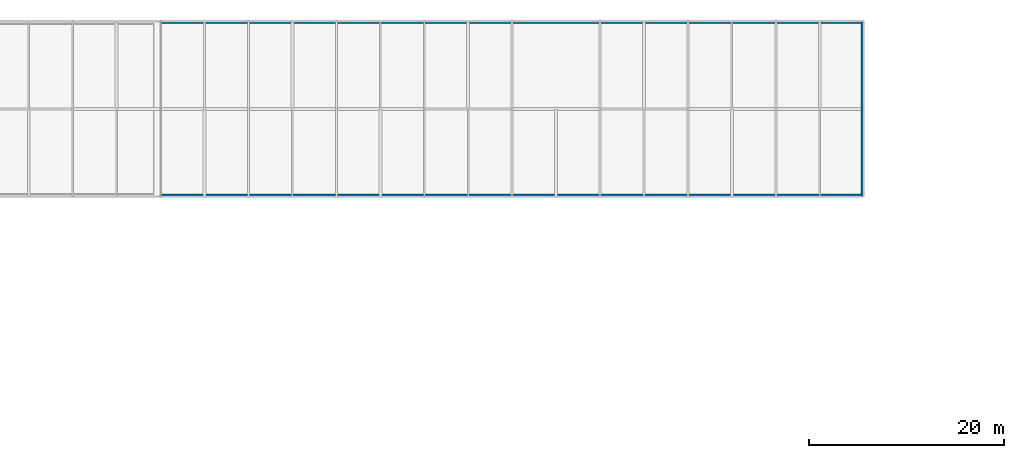
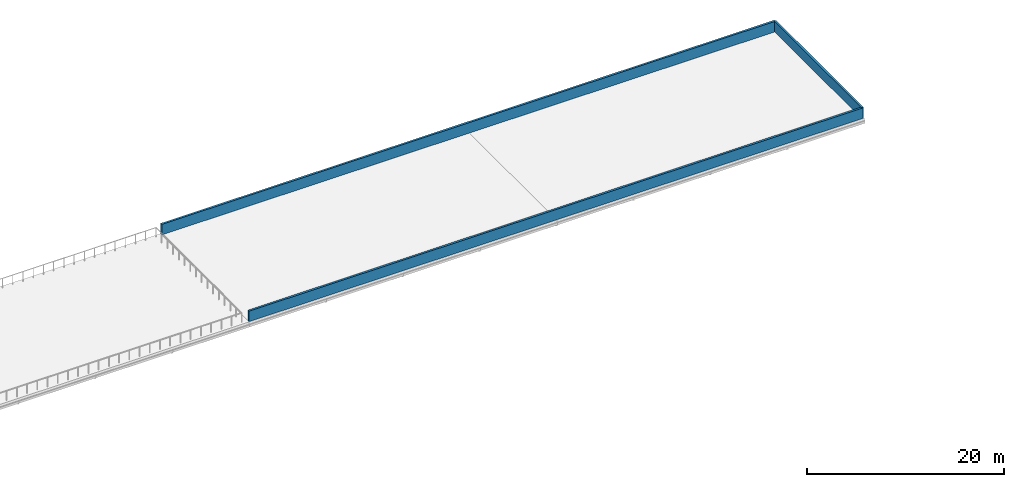
# One storey, part 15 of 18: 3 walls.
"""IFC4 building model written with IfcOpenShell, lengths in metres."""

from ifc_helpers import new_model, si_unit, direction, frame, frame_2d, origin, place, context, subcontext, project, spatial, rectangle, extrude, material, layer, layer_set, type_object, element, save


model = new_model("IFC4")

# Units and contexts
model_context = context("Model", 3, precision=1e-05, world=origin(), true_north=direction((0.0, 1.0)))
body_context = subcontext(model_context, "Body", "Model", "MODEL_VIEW")
ifc_project = project(units=[si_unit("LENGTHUNIT", "METRE"), si_unit("AREAUNIT", "SQUARE_METRE"), si_unit("VOLUMEUNIT", "CUBIC_METRE"), si_unit("PLANEANGLEUNIT", "RADIAN"), si_unit("MASSUNIT", "GRAM", prefix="KILO")], contexts=[model_context])

# Site, building, storey
site_placement = place(None, origin())
site = spatial("IfcSite", under=ifc_project, at=site_placement, CompositionType="ELEMENT")
building_placement = place(site_placement, origin())
building = spatial("IfcBuilding", under=site, at=building_placement, Name="Kildeholm Park Wholesale Market", CompositionType="ELEMENT")
storey_placement = place(building_placement, frame((0.0, 0.0, 13.5)))
storey = spatial("IfcBuildingStorey", under=building, at=storey_placement, Name="L03", CompositionType="ELEMENT", Elevation=13.5)

# Walls
ifc_material = material(Name="Precast concrete C40/50 ceramic-coped parapet", Category="concrete")
ifc_layer = layer(ifc_material, 0.239990234375)
ifc_layer_set = layer_set([ifc_layer], Name="Precast concrete C40/50 ceramic-coped parapet")
wall_type = type_object("IfcWallType", Name="Exterior wall W-PR1 240 mm", PredefinedType="PARAPET", material=ifc_layer_set)
wall_1_placement = place(storey_placement, frame((108.0, 170.85009765625, 0.0), z_axis=(0.0, 0.0, 1.0), x_axis=(1.0, 0.0, 0.0)))
element("IfcWall", 1, at=wall_1_placement, inside=storey, type_object=wall_type, Name="Cold-block parapet PR-V4-RFN-N WL-0492", PredefinedType="PARAPET", context=body_context, shape_type="SweptSolid", body=[
    extrude(rectangle(XDim=71.85009765625, YDim=0.239990234375, at=frame_2d((35.925048828125, 0.0))), origin(), (0.0, 0.0, 1.0), 1.300048828125),
])
wall_2_placement = place(storey_placement, frame((179.85009765625, 153.14990234375, 0.0), z_axis=(0.0, 0.0, 1.0), x_axis=(0.0, 1.0, 0.0)))
element("IfcWall", 2, at=wall_2_placement, inside=storey, type_object=wall_type, Name="Cold-block parapet PR-V4-RFN-E WL-0493", PredefinedType="PARAPET", context=body_context, shape_type="SweptSolid", body=[
    extrude(rectangle(XDim=17.7001953125, YDim=0.239990234375, at=frame_2d((8.85009765625, 0.0))), origin(), (0.0, 0.0, 1.0), 1.300048828125),
])
wall_3_placement = place(storey_placement, frame((108.0, 153.14990234375, 0.0), z_axis=(0.0, 0.0, 1.0), x_axis=(1.0, 0.0, 0.0)))
element("IfcWall", 3, at=wall_3_placement, inside=storey, type_object=wall_type, Name="Cold-block parapet PR-V4-RFN-S WL-0494", PredefinedType="PARAPET", context=body_context, shape_type="SweptSolid", body=[
    extrude(rectangle(XDim=71.85009765625, YDim=0.239990234375, at=frame_2d((35.925048828125, 0.0))), origin(), (0.0, 0.0, 1.0), 1.300048828125),
])

save(model, "model.ifc")
